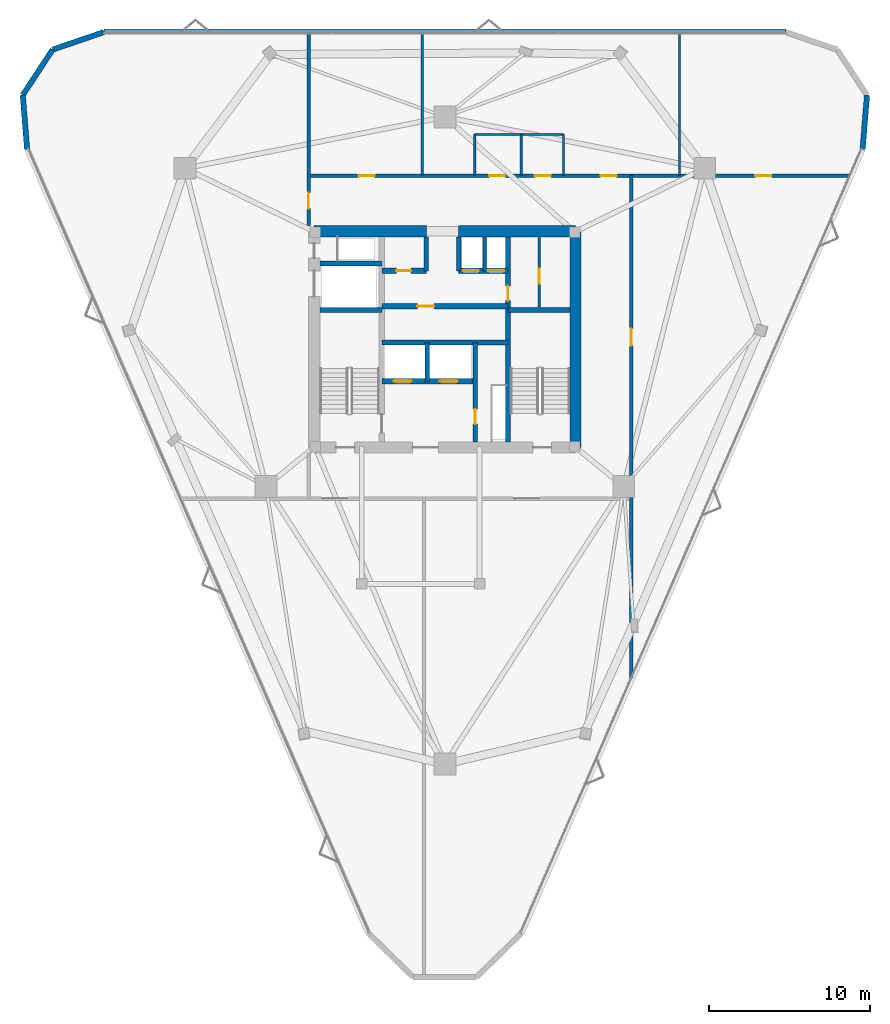
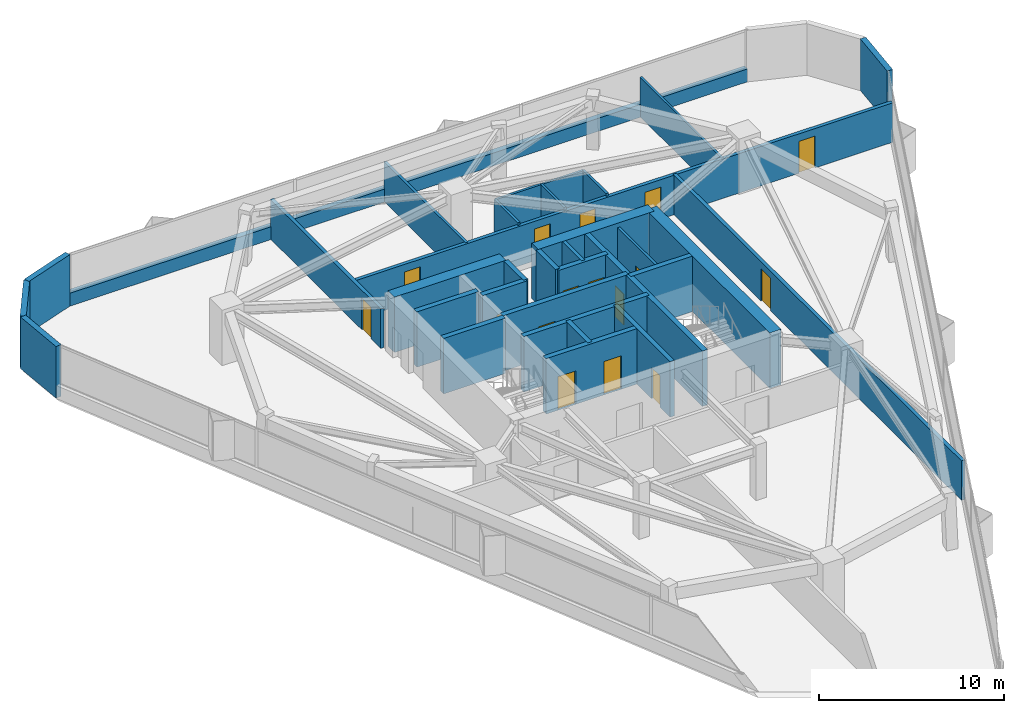
# One storey, part 10 of 12: 32 walls, 16 doors, 16 openings.
"""IFC4 building model written with IfcOpenShell, lengths in metres."""

from ifc_helpers import new_model, si_unit, direction, frame, frame_2d, origin, place, context, subcontext, project, spatial, rectangle, extrude, material, layer, layer_set, type_object, element, fill, save


model = new_model("IFC4")

# Units and contexts
model_context = context("Model", 3, precision=1e-05, world=origin(), true_north=direction((0.0, 1.0)))
body_context = subcontext(model_context, "Body", "Model", "MODEL_VIEW")
ifc_project = project(units=[si_unit("LENGTHUNIT", "METRE"), si_unit("AREAUNIT", "SQUARE_METRE"), si_unit("VOLUMEUNIT", "CUBIC_METRE"), si_unit("PLANEANGLEUNIT", "RADIAN"), si_unit("MASSUNIT", "GRAM", prefix="KILO")], contexts=[model_context])

# Site, building, storey
site_placement = place(None, origin())
site = spatial("IfcSite", under=ifc_project, at=site_placement, CompositionType="ELEMENT")
building_placement = place(site_placement, origin())
building = spatial("IfcBuilding", under=site, at=building_placement, Name="Talyreon Biosciences Tower", CompositionType="ELEMENT")
storey_placement = place(building_placement, frame((0.0, 0.0, 197.64990234375)))
storey = spatial("IfcBuildingStorey", under=building, at=storey_placement, Name="L52", CompositionType="ELEMENT", Elevation=197.64990234375)

# Walls
ifc_material_1 = material(Name="Concrete C50/60", Category="concrete")
ifc_layer_1 = layer(ifc_material_1, 0.219970703125)
ifc_layer_set_1 = layer_set([ifc_layer_1], Name="Concrete C50/60")
wall_type_1 = type_object("IfcWallType", Name="CoreShearWall_220", PredefinedType="SHEAR", material=ifc_layer_set_1)
wall_1_placement = place(storey_placement, frame((68.4599609375, 72.25, 0.0), z_axis=(0.0, 0.0, 1.0), x_axis=(0.0, 1.0, 0.0)))
element("IfcWall", 1, at=wall_1_placement, inside=storey, type_object=wall_type_1, Name="L52 Core Shaft Wall SWPHD", PredefinedType="SHEAR", context=body_context, shape_type="SweptSolid", body=[
    extrude(rectangle(XDim=2.10009765625, YDim=0.219970703125, at=frame_2d((1.050048828125, 0.0))), origin(), (0.0, 0.0, 1.0), 3.650146484375),
])
ifc_layer_2 = layer(ifc_material_1, 0.280029296875)
ifc_layer_set_2 = layer_set([ifc_layer_2], Name="Concrete C50/60")
wall_type_2 = type_object("IfcWallType", Name="CoreShearWall_280", PredefinedType="SHEAR", material=ifc_layer_set_2)
wall_2_placement = place(storey_placement, frame((64.919921875, 65.39990234375, 0.0), z_axis=(0.0, 0.0, 1.0), x_axis=(0.0, 1.0, 0.0)))
element("IfcWall", 2, at=wall_2_placement, inside=storey, type_object=wall_type_2, Name="L52 Core Shaft Wall SWSHD1", PredefinedType="SHEAR", context=body_context, shape_type="SweptSolid", body=[
    extrude(rectangle(XDim=2.400146484375, YDim=0.280029296875, at=frame_2d((1.2001953125, 0.0))), origin(), (0.0, 0.0, 1.0), 3.650146484375),
])
for number, where, z_axis, x_axis, name in (
    (3, (64.85009765625, 72.25, 0.0), (0.0, 0.0, 1.0), (0.0, 1.0, 0.0), "L52 Core Shaft Wall SWTHW"),
    (4, (66.85009765625, 72.25, 0.0), (0.0, 0.0, 1.0), (0.0, 1.0, 0.0), "L52 Core Shaft Wall SWTHE"),
):
    element("IfcWall", number, at=place(storey_placement, frame(where, z_axis=z_axis, x_axis=x_axis)), inside=storey, type_object=wall_type_2, Name=name, PredefinedType="SHEAR", context=body_context, shape_type="SweptSolid", body=[
        extrude(rectangle(XDim=2.10009765625, YDim=0.280029296875, at=frame_2d((1.050048828125, 0.0))), origin(), (0.0, 0.0, 1.0), 3.650146484375),
    ])

# Wall, opening, door
wall_3_placement = place(storey_placement, frame((67.8798828125, 61.64990234375, 0.0), z_axis=(0.0, 0.0, 1.0), x_axis=(0.0, 1.0, 0.0)))
wall_3 = element("IfcWall", 5, at=wall_3_placement, inside=storey, type_object=wall_type_2, Name="L52 Core Shaft Wall SWFFE", PredefinedType="SHEAR", context=body_context, shape_type="SweptSolid", body=[
    extrude(rectangle(XDim=6.150146484375, YDim=0.280029296875, at=frame_2d((3.0751953125, 0.0))), origin(), (0.0, 0.0, 1.0), 3.650146484375),
])
opening_1_placement = place(wall_3_placement, frame((1.10009765625, 0.0, 0.0)))
opening_1 = element("IfcOpeningElement", 6, at=opening_1_placement, cuts=wall_3, Name="Opening DR-L52-RSE", PredefinedType="OPENING", context=body_context, shape_type="SweptSolid", body=[
    extrude(rectangle(XDim=0.919921875, YDim=2.050048828125, at=frame_2d((0.4599609375, 1.02490234375))), frame((0.0, 0.14990234375, 0.0), z_axis=(0.0, -1.0, 0.0), x_axis=(1.0, 0.0, 0.0)), (0.0, 0.0, 1.0), 0.300048828125),
])
ifc_material_2 = material(Name="Painted steel fire-rated riser door", Category="steel")
door_type_1 = type_object("IfcDoorType", Name="RiserPlantAccessDoor_920x2050", OperationType="NOTDEFINED", PredefinedType="DOOR", material=ifc_material_2)
door_1_placement = place(opening_1_placement, origin())
door_1 = element("IfcDoor", 7, at=door_1_placement, inside=storey, type_object=door_type_1, Name="L52 Core Door DR-L52-RSE", OperationType="SINGLE_SWING_RIGHT", OverallHeight=2.050048828125, OverallWidth=0.919921875, PredefinedType="DOOR", context=body_context, shape_type="SweptSolid", body=[
    extrude(rectangle(XDim=0.919921875, YDim=2.050048828125, at=frame_2d((0.4599609375, 1.02490234375))), frame((0.0, 0.02490234375, 0.0), z_axis=(0.0, -1.0, 0.0), x_axis=(1.0, 0.0, 0.0)), (0.0, 0.0, 1.0), 0.050048828125),
])
fill(opening_1, door_1)

ifc_layer_3 = layer(ifc_material_1, 0.320068359375)
ifc_layer_set_3 = layer_set([ifc_layer_3], Name="Concrete C50/60")
wall_type_3 = type_object("IfcWallType", Name="CoreShearWall_320", PredefinedType="SHEAR", material=ifc_layer_set_3)
wall_4_placement = place(storey_placement, frame((69.909912109375, 61.64990234375, 0.0), z_axis=(0.0, 0.0, 1.0), x_axis=(0.0, 1.0, 0.0)))
wall_4 = element("IfcWall", 8, at=wall_4_placement, inside=storey, type_object=wall_type_3, Name="L52 Core Shaft Wall SW2W", PredefinedType="SHEAR", context=body_context, shape_type="SweptSolid", body=[
    extrude(rectangle(XDim=12.7001953125, YDim=0.320068359375, at=frame_2d((6.35009765625, 0.0))), origin(), (0.0, 0.0, 1.0), 3.650146484375),
])
opening_2_placement = place(wall_4_placement, frame((8.75, 0.0, 0.0)))
opening_2 = element("IfcOpeningElement", 9, at=opening_2_placement, cuts=wall_4, Name="Opening DR-L52-CSRV", PredefinedType="OPENING", context=body_context, shape_type="SweptSolid", body=[
    extrude(rectangle(XDim=0.919921875, YDim=2.050048828125, at=frame_2d((0.4599609375, 1.02490234375))), frame((0.0, 0.169921875, 0.0), z_axis=(0.0, -1.0, 0.0), x_axis=(1.0, 0.0, 0.0)), (0.0, 0.0, 1.0), 0.340087890625),
])
door_2_placement = place(opening_2_placement, origin())
door_2 = element("IfcDoor", 10, at=door_2_placement, inside=storey, type_object=door_type_1, Name="L52 Core Door DR-L52-CSRV", OperationType="SINGLE_SWING_RIGHT", OverallHeight=2.050048828125, OverallWidth=0.919921875, PredefinedType="DOOR", context=body_context, shape_type="SweptSolid", body=[
    extrude(rectangle(XDim=0.919921875, YDim=2.050048828125, at=frame_2d((0.4599609375, 1.02490234375))), frame((0.0, 0.02490234375, 0.0), z_axis=(0.0, -1.0, 0.0), x_axis=(1.0, 0.0, 0.0)), (0.0, 0.0, 1.0), 0.050048828125),
])
fill(opening_2, door_2)

# Walls
for number, where, z_axis, x_axis, name in (
    (11, (58.25, 69.81005859375, 0.0), (0.0, 0.0, 1.0), (1.0, 0.0, 0.0), "L52 Core Shaft Wall SW1N"),
    (12, (69.909912109375, 69.81005859375, 0.0), (0.0, 0.0, 1.0), (1.0, 0.0, 0.0), "L52 Core Shaft Wall SW2N"),
    (13, (58.25, 72.699951171875, 0.0), (0.0, 0.0, 1.0), (1.0, 0.0, 0.0), "L52 Core Shaft Wall SWGLN"),
):
    element("IfcWall", number, at=place(storey_placement, frame(where, z_axis=z_axis, x_axis=x_axis)), inside=storey, type_object=wall_type_3, Name=name, PredefinedType="SHEAR", context=body_context, shape_type="SweptSolid", body=[
        extrude(rectangle(XDim=3.840087890625, YDim=0.320068359375, at=frame_2d((1.919921875, 0.0))), origin(), (0.0, 0.0, 1.0), 3.650146484375),
    ])
wall_5_placement = place(storey_placement, frame((62.090087890625, 67.800048828125, 0.0), z_axis=(0.0, 0.0, 1.0), x_axis=(1.0, 0.0, 0.0)))
element("IfcWall", 14, at=wall_5_placement, inside=storey, type_object=wall_type_3, Name="L52 Core Shaft Wall SWSHM", PredefinedType="SHEAR", context=body_context, shape_type="SweptSolid", body=[
    extrude(rectangle(XDim=7.81982421875, YDim=0.320068359375, at=frame_2d((3.909912109375, 0.0))), origin(), (0.0, 0.0, 1.0), 3.650146484375),
])

# Wall, opening, door
wall_6_placement = place(storey_placement, frame((62.090087890625, 70.050048828125, 0.0), z_axis=(0.0, 0.0, 1.0), x_axis=(1.0, 0.0, 0.0)))
wall_6 = element("IfcWall", 15, at=wall_6_placement, inside=storey, type_object=wall_type_3, Name="L52 Core Shaft Wall SWSPN", PredefinedType="SHEAR", context=body_context, shape_type="SweptSolid", body=[
    extrude(rectangle(XDim=7.81982421875, YDim=0.320068359375, at=frame_2d((3.909912109375, 0.0))), origin(), (0.0, 0.0, 1.0), 3.650146484375),
])
opening_3_placement = place(wall_6_placement, frame((2.199951171875, 0.0, 0.0)))
opening_3 = element("IfcOpeningElement", 16, at=opening_3_placement, cuts=wall_6, Name="Opening DR-L52-PLPMFREE", PredefinedType="OPENING", context=body_context, shape_type="SweptSolid", body=[
    extrude(rectangle(XDim=1.050048828125, YDim=2.14990234375, at=frame_2d((0.52490234375, 1.074951171875))), frame((0.0, 0.169921875, 0.0), z_axis=(0.0, -1.0, 0.0), x_axis=(1.0, 0.0, 0.0)), (0.0, 0.0, 1.0), 0.340087890625),
])
ifc_material_3 = material(Name="Acoustic timber-core laboratory door", Category="wood")
door_type_2 = type_object("IfcDoorType", Name="DryLabSingleDoor_1050x2150", OperationType="NOTDEFINED", PredefinedType="DOOR", material=ifc_material_3)
door_3_placement = place(opening_3_placement, origin())
door_3 = element("IfcDoor", 17, at=door_3_placement, inside=storey, type_object=door_type_2, Name="L52 Core Door DR-L52-PLPMFREE", OperationType="SINGLE_SWING_LEFT", OverallHeight=2.14990234375, OverallWidth=1.050048828125, PredefinedType="DOOR", context=body_context, shape_type="SweptSolid", body=[
    extrude(rectangle(XDim=1.050048828125, YDim=2.14990234375, at=frame_2d((0.52490234375, 1.074951171875))), frame((0.0, 0.02490234375, 0.0), z_axis=(0.0, -1.0, 0.0), x_axis=(1.0, 0.0, 0.0)), (0.0, 0.0, 1.0), 0.050048828125),
])
fill(opening_3, door_3)

wall_7_placement = place(storey_placement, frame((62.090087890625, 72.25, 0.0), z_axis=(0.0, 0.0, 1.0), x_axis=(1.0, 0.0, 0.0)))
wall_7 = element("IfcWall", 18, at=wall_7_placement, inside=storey, type_object=wall_type_3, Name="L52 Core Shaft Wall SWNPW", PredefinedType="SHEAR", context=body_context, shape_type="SweptSolid", body=[
    extrude(rectangle(XDim=2.760009765625, YDim=0.320068359375, at=frame_2d((1.3798828125, 0.0))), origin(), (0.0, 0.0, 1.0), 3.650146484375),
])
opening_4_placement = place(wall_7_placement, frame((0.89990234375, 0.0, 0.0)))
opening_4 = element("IfcOpeningElement", 19, at=opening_4_placement, cuts=wall_7, Name="Opening DR-L52-PM2FREE", PredefinedType="OPENING", context=body_context, shape_type="SweptSolid", body=[
    extrude(rectangle(XDim=0.919921875, YDim=2.050048828125, at=frame_2d((0.4599609375, 1.02490234375))), frame((0.0, 0.169921875, 0.0), z_axis=(0.0, -1.0, 0.0), x_axis=(1.0, 0.0, 0.0)), (0.0, 0.0, 1.0), 0.340087890625),
])
door_4_placement = place(opening_4_placement, origin())
door_4 = element("IfcDoor", 20, at=door_4_placement, inside=storey, type_object=door_type_1, Name="L52 Core Door DR-L52-PM2FREE", OperationType="SINGLE_SWING_RIGHT", OverallHeight=2.050048828125, OverallWidth=0.919921875, PredefinedType="DOOR", context=body_context, shape_type="SweptSolid", body=[
    extrude(rectangle(XDim=0.919921875, YDim=2.050048828125, at=frame_2d((0.4599609375, 1.02490234375))), frame((0.0, 0.02490234375, 0.0), z_axis=(0.0, -1.0, 0.0), x_axis=(1.0, 0.0, 0.0)), (0.0, 0.0, 1.0), 0.050048828125),
])
fill(opening_4, door_4)

# Wall, openings, doors
wall_8_placement = place(storey_placement, frame((66.85009765625, 72.25, 0.0), z_axis=(0.0, 0.0, 1.0), x_axis=(1.0, 0.0, 0.0)))
wall_8 = element("IfcWall", 21, at=wall_8_placement, inside=storey, type_object=wall_type_3, Name="L52 Core Shaft Wall SWNPE", PredefinedType="SHEAR", context=body_context, shape_type="SweptSolid", body=[
    extrude(rectangle(XDim=3.059814453125, YDim=0.320068359375, at=frame_2d((1.52978515625, 0.0))), origin(), (0.0, 0.0, 1.0), 3.650146484375),
])
opening_5_placement = place(wall_8_placement, frame((0.25, 0.0, 0.0)))
opening_5 = element("IfcOpeningElement", 22, at=opening_5_placement, cuts=wall_8, Name="Opening LD-L52-PH1", PredefinedType="OPENING", context=body_context, shape_type="SweptSolid", body=[
    extrude(rectangle(XDim=1.0, YDim=2.199951171875, at=frame_2d((0.5, 1.10009765625))), frame((0.0, 0.169921875, 0.0), z_axis=(0.0, -1.0, 0.0), x_axis=(1.0, 0.0, 0.0)), (0.0, 0.0, 1.0), 0.340087890625),
])
opening_6_placement = place(wall_8_placement, frame((1.820068359375, 0.0, 0.0)))
opening_6 = element("IfcOpeningElement", 23, at=opening_6_placement, cuts=wall_8, Name="Opening LD-L52-PH2", PredefinedType="OPENING", context=body_context, shape_type="SweptSolid", body=[
    extrude(rectangle(XDim=1.0, YDim=2.199951171875, at=frame_2d((0.5, 1.10009765625))), frame((0.0, 0.169921875, 0.0), z_axis=(0.0, -1.0, 0.0), x_axis=(1.0, 0.0, 0.0)), (0.0, 0.0, 1.0), 0.340087890625),
])
ifc_material_4 = material(Name="Brushed stainless-steel lift landing door", Category="steel")
door_type_3 = type_object("IfcDoorType", Name="LiftSlidingLandingDoor_1100x2200", OperationType="SLIDING_TO_LEFT", PredefinedType="DOOR", material=ifc_material_4)
door_5_placement = place(opening_5_placement, origin())
door_5 = element("IfcDoor", 24, at=door_5_placement, inside=storey, type_object=door_type_3, Name="L52 Core Door LD-L52-PH1", OperationType="SLIDING_TO_LEFT", OverallHeight=2.199951171875, OverallWidth=1.0, PredefinedType="DOOR", context=body_context, shape_type="SweptSolid", body=[
    extrude(rectangle(XDim=1.0, YDim=2.199951171875, at=frame_2d((0.5, 1.10009765625))), frame((0.0, 0.02490234375, 0.0), z_axis=(0.0, -1.0, 0.0), x_axis=(1.0, 0.0, 0.0)), (0.0, 0.0, 1.0), 0.050048828125),
])
fill(opening_5, door_5)
door_6_placement = place(opening_6_placement, origin())
door_6 = element("IfcDoor", 25, at=door_6_placement, inside=storey, type_object=door_type_3, Name="L52 Core Door LD-L52-PH2", OperationType="SLIDING_TO_LEFT", OverallHeight=2.199951171875, OverallWidth=1.0, PredefinedType="DOOR", context=body_context, shape_type="SweptSolid", body=[
    extrude(rectangle(XDim=1.0, YDim=2.199951171875, at=frame_2d((0.5, 1.10009765625))), frame((0.0, 0.02490234375, 0.0), z_axis=(0.0, -1.0, 0.0), x_axis=(1.0, 0.0, 0.0)), (0.0, 0.0, 1.0), 0.050048828125),
])
fill(opening_6, door_6)

wall_9_placement = place(storey_placement, frame((62.090087890625, 65.39990234375, 0.0), z_axis=(0.0, 0.0, 1.0), x_axis=(1.0, 0.0, 0.0)))
wall_9 = element("IfcWall", 26, at=wall_9_placement, inside=storey, type_object=wall_type_3, Name="L52 Core Shaft Wall SWFFN", PredefinedType="SHEAR", context=body_context, shape_type="SweptSolid", body=[
    extrude(rectangle(XDim=5.789794921875, YDim=0.320068359375, at=frame_2d((2.89501953125, 0.0))), origin(), (0.0, 0.0, 1.0), 3.650146484375),
])
opening_7_placement = place(wall_9_placement, frame((0.75, 0.0, 0.0)))
opening_7 = element("IfcOpeningElement", 27, at=opening_7_placement, cuts=wall_9, Name="Opening LD-L52-FL1", PredefinedType="OPENING", context=body_context, shape_type="SweptSolid", body=[
    extrude(rectangle(XDim=1.10009765625, YDim=2.199951171875, at=frame_2d((0.550048828125, 1.10009765625))), frame((0.0, 0.169921875, 0.0), z_axis=(0.0, -1.0, 0.0), x_axis=(1.0, 0.0, 0.0)), (0.0, 0.0, 1.0), 0.340087890625),
])
opening_8_placement = place(wall_9_placement, frame((3.60009765625, 0.0, 0.0)))
opening_8 = element("IfcOpeningElement", 28, at=opening_8_placement, cuts=wall_9, Name="Opening LD-L52-FL2", PredefinedType="OPENING", context=body_context, shape_type="SweptSolid", body=[
    extrude(rectangle(XDim=1.10009765625, YDim=2.199951171875, at=frame_2d((0.550048828125, 1.10009765625))), frame((0.0, 0.169921875, 0.0), z_axis=(0.0, -1.0, 0.0), x_axis=(1.0, 0.0, 0.0)), (0.0, 0.0, 1.0), 0.340087890625),
])
door_7_placement = place(opening_7_placement, origin())
door_7 = element("IfcDoor", 29, at=door_7_placement, inside=storey, type_object=door_type_3, Name="L52 Core Door LD-L52-FL1", OperationType="SLIDING_TO_LEFT", OverallHeight=2.199951171875, OverallWidth=1.10009765625, PredefinedType="DOOR", context=body_context, shape_type="SweptSolid", body=[
    extrude(rectangle(XDim=1.10009765625, YDim=2.199951171875, at=frame_2d((0.550048828125, 1.10009765625))), frame((0.0, 0.02490234375, 0.0), z_axis=(0.0, -1.0, 0.0), x_axis=(1.0, 0.0, 0.0)), (0.0, 0.0, 1.0), 0.050048828125),
])
fill(opening_7, door_7)
door_8_placement = place(opening_8_placement, origin())
door_8 = element("IfcDoor", 30, at=door_8_placement, inside=storey, type_object=door_type_3, Name="L52 Core Door LD-L52-FL2", OperationType="SLIDING_TO_LEFT", OverallHeight=2.199951171875, OverallWidth=1.10009765625, PredefinedType="DOOR", context=body_context, shape_type="SweptSolid", body=[
    extrude(rectangle(XDim=1.10009765625, YDim=2.199951171875, at=frame_2d((0.550048828125, 1.10009765625))), frame((0.0, 0.02490234375, 0.0), z_axis=(0.0, -1.0, 0.0), x_axis=(1.0, 0.0, 0.0)), (0.0, 0.0, 1.0), 0.050048828125),
])
fill(opening_8, door_8)

# Walls
ifc_layer_4 = layer(ifc_material_1, 0.699951171875)
ifc_layer_set_4 = layer_set([ifc_layer_4], Name="Concrete C50/60")
wall_type_4 = type_object("IfcWallType", Name="CoreShearWall_700", PredefinedType="SHEAR", material=ifc_layer_set_4)
wall_10_placement = place(storey_placement, frame((74.10009765625, 61.300048828125, 0.0), z_axis=(0.0, 0.0, 1.0), x_axis=(0.0, 1.0, 0.0)))
element("IfcWall", 31, at=wall_10_placement, inside=storey, type_object=wall_type_4, Name="L52 Core Shear Wall E", PredefinedType="SHEAR", context=body_context, shape_type="SweptSolid", body=[
    extrude(rectangle(XDim=13.39990234375, YDim=0.699951171875, at=frame_2d((6.699951171875, 0.0))), origin(), (0.0, 0.0, 1.0), 3.650146484375),
])
wall_11_placement = place(storey_placement, frame((74.10009765625, 74.699951171875, 0.0), z_axis=(0.0, 0.0, 1.0), x_axis=(-1.0, 0.0, 0.0)))
element("IfcWall", 32, at=wall_11_placement, inside=storey, type_object=wall_type_4, Name="L52 Core Shear Wall NE", PredefinedType="SHEAR", context=body_context, shape_type="SweptSolid", body=[
    extrude(rectangle(XDim=7.25, YDim=0.699951171875, at=frame_2d((3.625, 0.0))), origin(), (0.0, 0.0, 1.0), 3.650146484375),
])
wall_12_placement = place(storey_placement, frame((64.85009765625, 74.699951171875, 0.0), z_axis=(0.0, 0.0, 1.0), x_axis=(-1.0, 0.0, 0.0)))
element("IfcWall", 33, at=wall_12_placement, inside=storey, type_object=wall_type_4, Name="L52 Core Shear Wall NW", PredefinedType="SHEAR", context=body_context, shape_type="SweptSolid", body=[
    extrude(rectangle(XDim=6.9501953125, YDim=0.699951171875, at=frame_2d((3.47509765625, 0.0))), origin(), (0.0, 0.0, 1.0), 3.650146484375),
])

# Wall, openings, doors
ifc_material_5 = material(Name="Gypsum fireboard acoustic stud", Category="gypsum")
ifc_layer_5 = layer(ifc_material_5, 0.219970703125)
ifc_layer_set_5 = layer_set([ifc_layer_5], Name="Gypsum fireboard acoustic stud")
wall_type_5 = type_object("IfcWallType", Name="CorridorRatedPartition_220", PredefinedType="PARTITIONING", material=ifc_layer_set_5)
wall_13_placement = place(storey_placement, frame((57.550048828125, 78.14990234375, 0.0), z_axis=(0.0, 0.0, 1.0), x_axis=(1.0, 0.0, 0.0)))
wall_13 = element("IfcWall", 34, at=wall_13_placement, inside=storey, type_object=wall_type_5, Name="L52 Interior Wall IW-L52-COR-N", PredefinedType="PARTITIONING", context=body_context, shape_type="SweptSolid", body=[
    extrude(rectangle(XDim=33.54833984375, YDim=0.219970703125, at=frame_2d((16.774169921875, 0.0))), origin(), (0.0, 0.0, 1.0), 2.60009765625),
])
opening_9_placement = place(wall_13_placement, frame((11.2099609375, 0.0, 0.0)))
opening_9 = element("IfcOpeningElement", 35, at=opening_9_placement, cuts=wall_13, Name="Opening DR-L52-WC", PredefinedType="OPENING", context=body_context, shape_type="SweptSolid", body=[
    extrude(rectangle(XDim=0.97998046875, YDim=2.10009765625, at=frame_2d((0.489990234375, 1.050048828125))), frame((0.0, 0.119873046875, 0.0), z_axis=(0.0, -1.0, 0.0), x_axis=(1.0, 0.0, 0.0)), (0.0, 0.0, 1.0), 0.239990234375),
])
opening_10_placement = place(wall_13_placement, frame((14.034912109375, 0.0, 0.0)))
opening_10 = element("IfcOpeningElement", 36, at=opening_10_placement, cuts=wall_13, Name="Opening DR-L52-AWC", PredefinedType="OPENING", context=body_context, shape_type="SweptSolid", body=[
    extrude(rectangle(XDim=0.97998046875, YDim=2.10009765625, at=frame_2d((0.489990234375, 1.050048828125))), frame((0.0, 0.119873046875, 0.0), z_axis=(0.0, -1.0, 0.0), x_axis=(1.0, 0.0, 0.0)), (0.0, 0.0, 1.0), 0.239990234375),
])
opening_11_placement = place(wall_13_placement, frame((3.10009765625, 0.0, 0.0)))
opening_11 = element("IfcOpeningElement", 37, at=opening_11_placement, cuts=wall_13, Name="Opening DR-L52-N1A", PredefinedType="OPENING", context=body_context, shape_type="SweptSolid", body=[
    extrude(rectangle(XDim=1.0, YDim=2.10009765625, at=frame_2d((0.5, 1.050048828125))), frame((0.0, 0.119873046875, 0.0), z_axis=(0.0, -1.0, 0.0), x_axis=(1.0, 0.0, 0.0)), (0.0, 0.0, 1.0), 0.239990234375),
])
opening_12_placement = place(wall_13_placement, frame((18.096923828125, 0.0, 0.0)))
opening_12 = element("IfcOpeningElement", 38, at=opening_12_placement, cuts=wall_13, Name="Opening DR-L52-N2A", PredefinedType="OPENING", context=body_context, shape_type="SweptSolid", body=[
    extrude(rectangle(XDim=1.0, YDim=2.10009765625, at=frame_2d((0.5, 1.050048828125))), frame((0.0, 0.119873046875, 0.0), z_axis=(0.0, -1.0, 0.0), x_axis=(1.0, 0.0, 0.0)), (0.0, 0.0, 1.0), 0.239990234375),
])
opening_13_placement = place(wall_13_placement, frame((27.69091796875, 0.0, 0.0)))
opening_13 = element("IfcOpeningElement", 39, at=opening_13_placement, cuts=wall_13, Name="Opening DR-L52-N3A", PredefinedType="OPENING", context=body_context, shape_type="SweptSolid", body=[
    extrude(rectangle(XDim=1.0, YDim=2.10009765625, at=frame_2d((0.5, 1.050048828125))), frame((0.0, 0.119873046875, 0.0), z_axis=(0.0, -1.0, 0.0), x_axis=(1.0, 0.0, 0.0)), (0.0, 0.0, 1.0), 0.239990234375),
])
ifc_material_6 = material(Name="Laminate moisture-resistant door", Category="wood")
door_type_4 = type_object("IfcDoorType", Name="AccessibleToiletDoor_980x2100", OperationType="NOTDEFINED", PredefinedType="DOOR", material=ifc_material_6)
door_9_placement = place(opening_9_placement, origin())
door_9 = element("IfcDoor", 40, at=door_9_placement, inside=storey, type_object=door_type_4, Name="L52 Interior Door DR-L52-WC", OperationType="SINGLE_SWING_LEFT", OverallHeight=2.10009765625, OverallWidth=0.97998046875, PredefinedType="DOOR", context=body_context, shape_type="SweptSolid", body=[
    extrude(rectangle(XDim=0.97998046875, YDim=2.10009765625, at=frame_2d((0.489990234375, 1.050048828125))), frame((0.0, 0.02490234375, 0.0), z_axis=(0.0, -1.0, 0.0), x_axis=(1.0, 0.0, 0.0)), (0.0, 0.0, 1.0), 0.050048828125),
])
fill(opening_9, door_9)
door_10_placement = place(opening_10_placement, origin())
door_10 = element("IfcDoor", 41, at=door_10_placement, inside=storey, type_object=door_type_4, Name="L52 Interior Door DR-L52-AWC", OperationType="SINGLE_SWING_LEFT", OverallHeight=2.10009765625, OverallWidth=0.97998046875, PredefinedType="DOOR", context=body_context, shape_type="SweptSolid", body=[
    extrude(rectangle(XDim=0.97998046875, YDim=2.10009765625, at=frame_2d((0.489990234375, 1.050048828125))), frame((0.0, 0.02490234375, 0.0), z_axis=(0.0, -1.0, 0.0), x_axis=(1.0, 0.0, 0.0)), (0.0, 0.0, 1.0), 0.050048828125),
])
fill(opening_10, door_10)
ifc_material_7 = material(Name="Acoustic oak veneer office door", Category="wood")
door_type_5 = type_object("IfcDoorType", Name="WriteupOfficeDoor_1000x2100", OperationType="NOTDEFINED", PredefinedType="DOOR", material=ifc_material_7)
door_11_placement = place(opening_11_placement, origin())
door_11 = element("IfcDoor", 42, at=door_11_placement, inside=storey, type_object=door_type_5, Name="L52 Interior Door DR-L52-N1A", OperationType="SINGLE_SWING_LEFT", OverallHeight=2.10009765625, OverallWidth=1.0, PredefinedType="DOOR", context=body_context, shape_type="SweptSolid", body=[
    extrude(rectangle(XDim=1.0, YDim=2.10009765625, at=frame_2d((0.5, 1.050048828125))), frame((0.0, 0.02490234375, 0.0), z_axis=(0.0, -1.0, 0.0), x_axis=(1.0, 0.0, 0.0)), (0.0, 0.0, 1.0), 0.050048828125),
])
fill(opening_11, door_11)
door_12_placement = place(opening_12_placement, origin())
door_12 = element("IfcDoor", 43, at=door_12_placement, inside=storey, type_object=door_type_5, Name="L52 Interior Door DR-L52-N2A", OperationType="SINGLE_SWING_RIGHT", OverallHeight=2.10009765625, OverallWidth=1.0, PredefinedType="DOOR", context=body_context, shape_type="SweptSolid", body=[
    extrude(rectangle(XDim=1.0, YDim=2.10009765625, at=frame_2d((0.5, 1.050048828125))), frame((0.0, 0.02490234375, 0.0), z_axis=(0.0, -1.0, 0.0), x_axis=(1.0, 0.0, 0.0)), (0.0, 0.0, 1.0), 0.050048828125),
])
fill(opening_12, door_12)
door_13_placement = place(opening_13_placement, origin())
door_13 = element("IfcDoor", 44, at=door_13_placement, inside=storey, type_object=door_type_5, Name="L52 Interior Door DR-L52-N3A", OperationType="SINGLE_SWING_LEFT", OverallHeight=2.10009765625, OverallWidth=1.0, PredefinedType="DOOR", context=body_context, shape_type="SweptSolid", body=[
    extrude(rectangle(XDim=1.0, YDim=2.10009765625, at=frame_2d((0.5, 1.050048828125))), frame((0.0, 0.02490234375, 0.0), z_axis=(0.0, -1.0, 0.0), x_axis=(1.0, 0.0, 0.0)), (0.0, 0.0, 1.0), 0.050048828125),
])
fill(opening_13, door_13)

# Wall, opening, door
wall_14_placement = place(storey_placement, frame((57.550048828125, 75.050048828125, 0.0), z_axis=(0.0, 0.0, 1.0), x_axis=(0.0, 1.0, 0.0)))
wall_14 = element("IfcWall", 45, at=wall_14_placement, inside=storey, type_object=wall_type_5, Name="L52 Interior Wall IW-L52-WCAP-N", PredefinedType="PARTITIONING", context=body_context, shape_type="SweptSolid", body=[
    extrude(rectangle(XDim=11.9169921875, YDim=0.219970703125, at=frame_2d((5.95849609375, 0.0))), origin(), (0.0, 0.0, 1.0), 2.60009765625),
])
opening_14_placement = place(wall_14_placement, frame((1.050048828125, 0.0, 0.0)))
opening_14 = element("IfcOpeningElement", 46, at=opening_14_placement, cuts=wall_14, Name="Opening DR-L52-W1A", PredefinedType="OPENING", context=body_context, shape_type="SweptSolid", body=[
    extrude(rectangle(XDim=1.0, YDim=2.10009765625, at=frame_2d((0.5, 1.050048828125))), frame((0.0, 0.119873046875, 0.0), z_axis=(0.0, -1.0, 0.0), x_axis=(1.0, 0.0, 0.0)), (0.0, 0.0, 1.0), 0.239990234375),
])
door_14_placement = place(opening_14_placement, origin())
door_14 = element("IfcDoor", 47, at=door_14_placement, inside=storey, type_object=door_type_5, Name="L52 Interior Door DR-L52-W1A", OperationType="SINGLE_SWING_LEFT", OverallHeight=2.10009765625, OverallWidth=1.0, PredefinedType="DOOR", context=body_context, shape_type="SweptSolid", body=[
    extrude(rectangle(XDim=1.0, YDim=2.10009765625, at=frame_2d((0.5, 1.050048828125))), frame((0.0, 0.02490234375, 0.0), z_axis=(0.0, -1.0, 0.0), x_axis=(1.0, 0.0, 0.0)), (0.0, 0.0, 1.0), 0.050048828125),
])
fill(opening_14, door_14)

wall_15_placement = place(storey_placement, frame((77.550048828125, 47.001220703125, 0.0), z_axis=(0.0, 0.0, 1.0), x_axis=(0.0, 1.0, 0.0)))
wall_15 = element("IfcWall", 48, at=wall_15_placement, inside=storey, type_object=wall_type_5, Name="L52 Interior Wall IW-L52-COR-E", PredefinedType="PARTITIONING", context=body_context, shape_type="SweptSolid", body=[
    extrude(rectangle(XDim=31.148681640625, YDim=0.219970703125, at=frame_2d((15.57421875, 0.0))), origin(), (0.0, 0.0, 1.0), 2.60009765625),
])
opening_15_placement = place(wall_15_placement, frame((20.614013671875, 0.0, 0.0)))
opening_15 = element("IfcOpeningElement", 49, at=opening_15_placement, cuts=wall_15, Name="Opening DR-L52-E1A", PredefinedType="OPENING", context=body_context, shape_type="SweptSolid", body=[
    extrude(rectangle(XDim=1.050048828125, YDim=2.14990234375, at=frame_2d((0.52490234375, 1.074951171875))), frame((0.0, 0.119873046875, 0.0), z_axis=(0.0, -1.0, 0.0), x_axis=(1.0, 0.0, 0.0)), (0.0, 0.0, 1.0), 0.239990234375),
])
door_15_placement = place(opening_15_placement, origin())
door_15 = element("IfcDoor", 50, at=door_15_placement, inside=storey, type_object=door_type_2, Name="L52 Interior Door DR-L52-E1A", OperationType="SINGLE_SWING_LEFT", OverallHeight=2.14990234375, OverallWidth=1.050048828125, PredefinedType="DOOR", context=body_context, shape_type="SweptSolid", body=[
    extrude(rectangle(XDim=1.050048828125, YDim=2.14990234375, at=frame_2d((0.52490234375, 1.074951171875))), frame((0.0, 0.02490234375, 0.0), z_axis=(0.0, -1.0, 0.0), x_axis=(1.0, 0.0, 0.0)), (0.0, 0.0, 1.0), 0.050048828125),
])
fill(opening_15, door_15)

ifc_material_8 = material(Name="Gypsum acoustic stud partition", Category="gypsum")
ifc_layer_6 = layer(ifc_material_8, 0.159912109375)
ifc_layer_set_6 = layer_set([ifc_layer_6], Name="Gypsum acoustic stud partition")
wall_type_6 = type_object("IfcWallType", Name="LabSeparationPartition_160", PredefinedType="PARTITIONING", material=ifc_layer_set_6)
wall_16_placement = place(storey_placement, frame((71.85009765625, 70.0, 0.0), z_axis=(0.0, 0.0, 1.0), x_axis=(0.0, 1.0, 0.0)))
wall_16 = element("IfcWall", 51, at=wall_16_placement, inside=storey, type_object=wall_type_6, Name="L52 Interior Wall IW-L52-CSRV-V", PredefinedType="PARTITIONING", context=body_context, shape_type="SweptSolid", body=[
    extrude(rectangle(XDim=4.300048828125, YDim=0.159912109375, at=frame_2d((2.14990234375, 0.0))), origin(), (0.0, 0.0, 1.0), 3.400146484375),
])
opening_16_placement = place(wall_16_placement, frame((1.449951171875, 0.0, 0.0)))
opening_16 = element("IfcOpeningElement", 52, at=opening_16_placement, cuts=wall_16, Name="Opening DR-L52-CSRV-I", PredefinedType="OPENING", context=body_context, shape_type="SweptSolid", body=[
    extrude(rectangle(XDim=0.919921875, YDim=2.050048828125, at=frame_2d((0.4599609375, 1.02490234375))), frame((0.0, 0.08984375, 0.0), z_axis=(0.0, -1.0, 0.0), x_axis=(1.0, 0.0, 0.0)), (0.0, 0.0, 1.0), 0.179931640625),
])
door_16_placement = place(opening_16_placement, origin())
door_16 = element("IfcDoor", 53, at=door_16_placement, inside=storey, type_object=door_type_1, Name="L52 Interior Door DR-L52-CSRV-I", OperationType="SINGLE_SWING_RIGHT", OverallHeight=2.050048828125, OverallWidth=0.919921875, PredefinedType="DOOR", context=body_context, shape_type="SweptSolid", body=[
    extrude(rectangle(XDim=0.919921875, YDim=2.050048828125, at=frame_2d((0.4599609375, 1.02490234375))), frame((0.0, 0.02490234375, 0.0), z_axis=(0.0, -1.0, 0.0), x_axis=(1.0, 0.0, 0.0)), (0.0, 0.0, 1.0), 0.050048828125),
])
fill(opening_16, door_16)

# Walls
wall_17_placement = place(storey_placement, frame((64.60009765625, 78.14990234375, 0.0), z_axis=(0.0, 0.0, 1.0), x_axis=(0.0, 1.0, 0.0)))
element("IfcWall", 54, at=wall_17_placement, inside=storey, type_object=wall_type_6, Name="L52 Interior Wall IW-L52-NDIV1", PredefinedType="PARTITIONING", context=body_context, shape_type="SweptSolid", body=[
    extrude(rectangle(XDim=8.817138671875, YDim=0.159912109375, at=frame_2d((4.40869140625, 0.0))), origin(), (0.0, 0.0, 1.0), 2.60009765625),
])
ifc_layer_7 = layer(ifc_material_8, 0.1298828125)
ifc_layer_set_7 = layer_set([ifc_layer_7], Name="Gypsum acoustic stud partition")
wall_type_7 = type_object("IfcWallType", Name="OfficeWriteupPartition_130", PredefinedType="PARTITIONING", material=ifc_layer_set_7)
wall_18_placement = place(storey_placement, frame((80.533935546875, 78.14990234375, 0.0), z_axis=(0.0, 0.0, 1.0), x_axis=(0.0, 1.0, 0.0)))
element("IfcWall", 55, at=wall_18_placement, inside=storey, type_object=wall_type_7, Name="L52 Interior Wall IW-L52-NDIV2", PredefinedType="PARTITIONING", context=body_context, shape_type="SweptSolid", body=[
    extrude(rectangle(XDim=8.817138671875, YDim=0.1298828125, at=frame_2d((4.40869140625, 0.0))), origin(), (0.0, 0.0, 1.0), 2.60009765625),
])
ifc_material_9 = material(Name="Precast concrete C45/55", Category="concrete")
ifc_layer_8 = layer(ifc_material_9, 0.340087890625)
ifc_layer_set_8 = layer_set([ifc_layer_8], Name="Precast concrete C45/55")
wall_type_8 = type_object("IfcWallType", Name="PrecastConcreteSpandrelWall_340", PredefinedType="STANDARD", material=ifc_layer_set_8)
wall_19_placement = place(storey_placement, frame((40.100830078125, 79.778076171875, 0.0), z_axis=(0.0, 0.0, 1.0), x_axis=(-0.080012871035, 0.996793830473, 0.0)))
element("IfcWall", 56, at=wall_19_placement, inside=storey, type_object=wall_type_8, Name="L52 Rounded-Corner Concrete Pier 01", PredefinedType="STANDARD", context=body_context, shape_type="SweptSolid", body=[
    extrude(rectangle(XDim=3.37158203125, YDim=0.340087890625, at=frame_2d((1.685791015625, 0.0))), origin(), (0.0, 0.0, 1.0), 3.400146484375),
])
wall_20_placement = place(storey_placement, frame((39.8310546875, 83.138916015625, 0.0), z_axis=(0.0, 0.0, 1.0), x_axis=(0.548234112363, 0.836324911767, 0.0)))
element("IfcWall", 57, at=wall_20_placement, inside=storey, type_object=wall_type_8, Name="L52 Rounded-Corner Concrete Pier 02", PredefinedType="STANDARD", context=body_context, shape_type="SweptSolid", body=[
    extrude(rectangle(XDim=3.3720703125, YDim=0.340087890625, at=frame_2d((1.68603515625, 0.0))), origin(), (0.0, 0.0, 1.0), 3.400146484375),
])
wall_21_placement = place(storey_placement, frame((41.6796875, 85.958984375, 0.0), z_axis=(0.0, 0.0, 1.0), x_axis=(0.945999881237, 0.324166970402, 0.0)))
element("IfcWall", 58, at=wall_21_placement, inside=storey, type_object=wall_type_8, Name="L52 Rounded-Corner Concrete Pier 03", PredefinedType="STANDARD", context=body_context, shape_type="SweptSolid", body=[
    extrude(rectangle(XDim=3.371826171875, YDim=0.340087890625, at=frame_2d((1.68603515625, 0.0))), origin(), (0.0, 0.0, 1.0), 3.400146484375),
])
wall_22_placement = place(storey_placement, frame((44.869384765625, 87.052001953125, 0.0), z_axis=(0.0, 0.0, 1.0), x_axis=(1.0, 0.0, 0.0)))
element("IfcWall", 59, at=wall_22_placement, inside=storey, type_object=wall_type_8, Name="L52 Expressed Concrete Sill Wall 04", PredefinedType="STANDARD", context=body_context, shape_type="SweptSolid", body=[
    extrude(rectangle(XDim=42.261474609375, YDim=0.340087890625, at=frame_2d((21.130859375, 0.0))), origin(), (0.0, 0.0, 1.0), 0.85009765625),
])
wall_23_placement = place(storey_placement, frame((92.1689453125, 83.138916015625, 0.0), z_axis=(0.0, 0.0, 1.0), x_axis=(-0.080012871035, -0.996793830473, 0.0)))
element("IfcWall", 60, at=wall_23_placement, inside=storey, type_object=wall_type_8, Name="L52 Rounded-Corner Concrete Pier 07", PredefinedType="STANDARD", context=body_context, shape_type="SweptSolid", body=[
    extrude(rectangle(XDim=3.37158203125, YDim=0.340087890625, at=frame_2d((1.685791015625, 0.0))), origin(), (0.0, 0.0, 1.0), 3.400146484375),
])
ifc_material_10 = material(Name="Moisture-resistant cement-board stud", Category="gypsum")
ifc_layer_9 = layer(ifc_material_10, 0.14501953125)
ifc_layer_set_9 = layer_set([ifc_layer_9], Name="Moisture-resistant cement-board stud")
wall_type_9 = type_object("IfcWallType", Name="WetRoomPartition_145", PredefinedType="PARTITIONING", material=ifc_layer_set_9)
for number, where, z_axis, x_axis, name in (
    (61, (67.85009765625, 78.14990234375, 0.0), (0.0, 0.0, 1.0), (0.0, 1.0, 0.0), "L52 Interior Wall IW-L52-WCL"),
    (62, (70.72509765625, 78.14990234375, 0.0), (0.0, 0.0, 1.0), (0.0, 1.0, 0.0), "L52 Interior Wall IW-L52-WCM"),
    (63, (73.35009765625, 78.14990234375, 0.0), (0.0, 0.0, 1.0), (0.0, 1.0, 0.0), "L52 Interior Wall IW-L52-WCR"),
):
    element("IfcWall", number, at=place(storey_placement, frame(where, z_axis=z_axis, x_axis=x_axis)), inside=storey, type_object=wall_type_9, Name=name, PredefinedType="PARTITIONING", context=body_context, shape_type="SweptSolid", body=[
        extrude(rectangle(XDim=2.550048828125, YDim=0.14501953125, at=frame_2d((1.27490234375, 0.0))), origin(), (0.0, 0.0, 1.0), 2.780029296875),
    ])
wall_24_placement = place(storey_placement, frame((67.85009765625, 80.699951171875, 0.0), z_axis=(0.0, 0.0, 1.0), x_axis=(1.0, 0.0, 0.0)))
element("IfcWall", 64, at=wall_24_placement, inside=storey, type_object=wall_type_9, Name="L52 Interior Wall IW-L52-WCT", PredefinedType="PARTITIONING", context=body_context, shape_type="SweptSolid", body=[
    extrude(rectangle(XDim=5.5, YDim=0.14501953125, at=frame_2d((2.75, 0.0))), origin(), (0.0, 0.0, 1.0), 2.780029296875),
])

save(model, "model.ifc")
